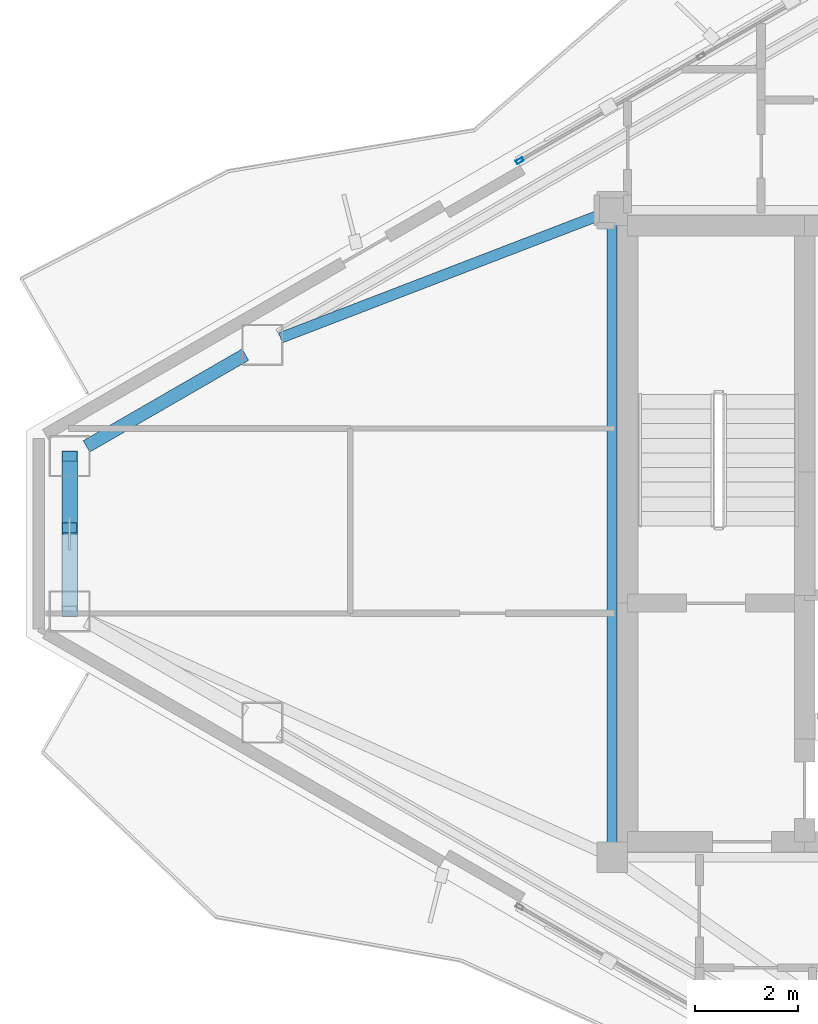
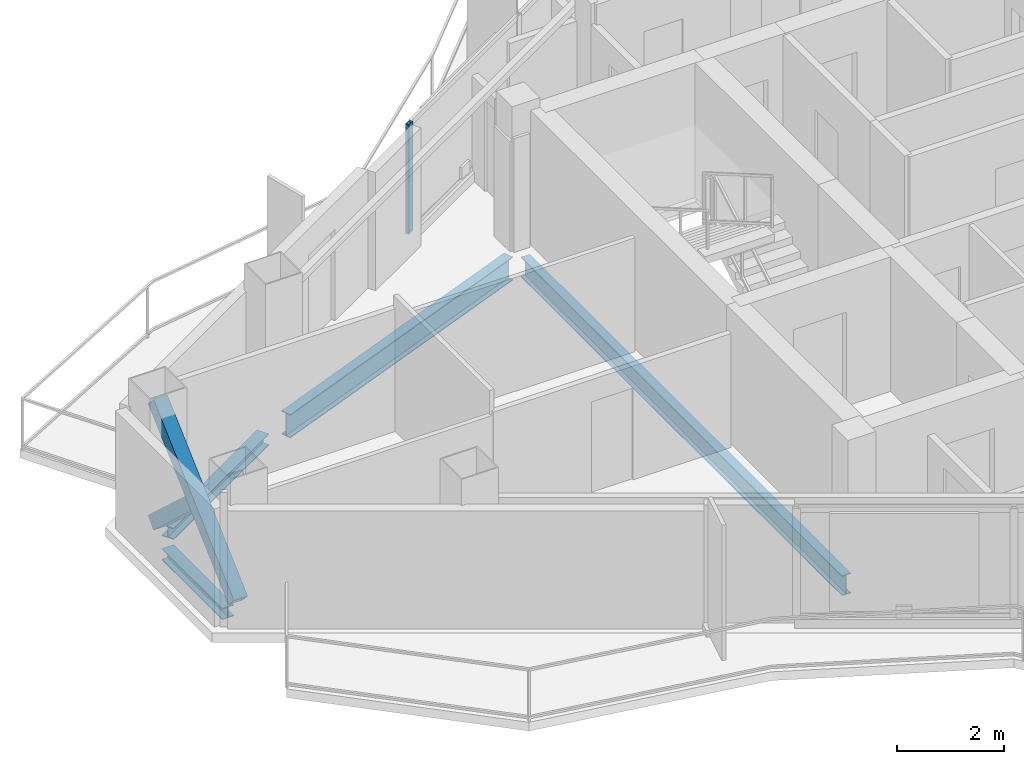
# One storey, part 8 of 18: 4 beams, 3 members, 1 element without a shape of its own.
"""IFC4 building model written with IfcOpenShell, lengths in metres."""

from ifc_helpers import new_model, si_unit, direction, frame, origin, origin_2d, place, context, subcontext, project, spatial, hollow_rectangle, i_section, extrude, material, layer, layer_set, material_profile, profile_set, type_object, element, aggregate, save


model = new_model("IFC4")

# Units and contexts
model_context = context("Model", 3, precision=1e-05, world=origin(), true_north=direction((0.0, 1.0)))
body_context = subcontext(model_context, "Body", "Model", "MODEL_VIEW")
ifc_project = project(units=[si_unit("LENGTHUNIT", "METRE"), si_unit("AREAUNIT", "SQUARE_METRE"), si_unit("VOLUMEUNIT", "CUBIC_METRE"), si_unit("PLANEANGLEUNIT", "RADIAN"), si_unit("MASSUNIT", "GRAM", prefix="KILO")], contexts=[model_context])

# Site, building, storey
site_placement = place(None, origin())
site = spatial("IfcSite", under=ifc_project, at=site_placement, CompositionType="ELEMENT")
building_placement = place(site_placement, origin())
building = spatial("IfcBuilding", under=site, at=building_placement, Name="Mersakhor Tower and Convention Hall", CompositionType="ELEMENT")
storey_placement = place(building_placement, frame((0.0, 0.0, 233.10009765625)))
storey = spatial("IfcBuildingStorey", under=building, at=storey_placement, Name="L65", CompositionType="ELEMENT", Elevation=233.10009765625)

# Beams
ifc_material_1 = material(Name="Steel S355", Category="steel")
ifc_material_profile_1 = material_profile(ifc_material_1, i_section(OverallWidth=0.19140625, OverallDepth=0.4599609375, WebThickness=0.010009765625, FlangeThickness=0.01611328125, at=origin_2d()), Name="UB 457x191x82")
ifc_profile_set_1 = profile_set([ifc_material_profile_1], Name="Steel S355")
beam_type_1 = type_object("IfcBeamType", Name="BM-FB-457", PredefinedType="BEAM", material=ifc_profile_set_1)
beam_1_placement = place(storey_placement, frame((21.89990234375, 20.72998046875, -0.4501953125), z_axis=(0.0, 1.0, 0.0), x_axis=(-1.0, 0.0, 0.0)))
element("IfcBeam", 1, at=beam_1_placement, inside=storey, type_object=beam_type_1, Name="L65 Core Ring Tie Beam CRB-1", PredefinedType="BEAM", context=body_context, shape_type="SweptSolid", body=[
    extrude(i_section(OverallWidth=0.19140625, OverallDepth=0.4599609375, WebThickness=0.010009765625, FlangeThickness=0.01611328125, at=origin_2d()), origin(), (0.0, 0.0, 1.0), 12.0400390625),
])
ifc_material_2 = material(Name="Steel S355", Category="steel")
ifc_material_profile_2 = material_profile(ifc_material_2, i_section(OverallWidth=0.2099609375, OverallDepth=0.53662109375, WebThickness=0.0107421875, FlangeThickness=0.017333984375, at=origin_2d()), Name="UB 533x210x101")
ifc_profile_set_2 = profile_set([ifc_material_profile_2], Name="Steel S355")
beam_type_2 = type_object("IfcBeamType", Name="BM-FB-533", PredefinedType="BEAM", material=ifc_profile_set_2)
beam_2_placement = place(storey_placement, frame((21.638671875, 32.949462890625, -0.488525390625), z_axis=(-0.933316231297, -0.359055444741, 0.0), x_axis=(0.359055444741, -0.933316231297, 0.0)))
element("IfcBeam", 2, at=beam_2_placement, inside=storey, type_object=beam_type_2, Name="L65 Primary Floor Girder FG-1", PredefinedType="BEAM", context=body_context, shape_type="SweptSolid", body=[
    extrude(i_section(OverallWidth=0.2099609375, OverallDepth=0.53662109375, WebThickness=0.0107421875, FlangeThickness=0.017333984375, at=origin_2d()), origin(), (0.0, 0.0, 1.0), 6.64111328125),
])
ifc_material_3 = material(Name="Steel S355", Category="steel")
ifc_material_profile_3 = material_profile(ifc_material_3, i_section(OverallWidth=0.25634765625, OverallDepth=0.26025390625, WebThickness=0.01025390625, FlangeThickness=0.017333984375, at=origin_2d()), Name="UC 254x254x89")
ifc_profile_set_3 = profile_set([ifc_material_profile_3], Name="Steel S355")
beam_type_3 = type_object("IfcBeamType", Name="BM-SPD-UC254", PredefinedType="SPANDREL", material=ifc_profile_set_3)
beam_3_placement = place(storey_placement, frame((11.6611328125, 28.451416015625, -0.35009765625), z_axis=(0.866032030752, 0.499988521579, 0.0), x_axis=(-0.499988521579, 0.866032030752, 0.0)))
element("IfcBeam", 3, at=beam_3_placement, inside=storey, type_object=beam_type_3, Name="L65 Perimeter Spandrel Beam SPB-01", PredefinedType="SPANDREL", context=body_context, shape_type="SweptSolid", body=[
    extrude(i_section(OverallWidth=0.25634765625, OverallDepth=0.26025390625, WebThickness=0.01025390625, FlangeThickness=0.017333984375, at=origin_2d()), origin(), (0.0, 0.0, 1.0), 3.57421875),
])
beam_4_placement = place(storey_placement, frame((11.33203125, 25.61865234375, -0.35009765625), z_axis=(0.0, 1.0, 0.0), x_axis=(-1.0, 0.0, 0.0)))
element("IfcBeam", 4, at=beam_4_placement, inside=storey, type_object=beam_type_3, Name="L65 Perimeter Spandrel Beam SPB-12", PredefinedType="SPANDREL", context=body_context, shape_type="SweptSolid", body=[
    extrude(i_section(OverallWidth=0.25634765625, OverallDepth=0.26025390625, WebThickness=0.01025390625, FlangeThickness=0.017333984375, at=origin_2d()), origin(), (0.0, 0.0, 1.0), 2.2626953125),
])

# Curtain wall, member
ifc_material_4 = material(Name="Dark solar low-E aluminium curtain wall", Category="aluminium")
ifc_layer = layer(ifc_material_4, 0.179931640625)
ifc_layer_set = layer_set([ifc_layer], Name="Dark solar low-E aluminium curtain wall")
curtain_wall_type = type_object("IfcCurtainWallType", Name="CW-SYS-03", PredefinedType="USERDEFINED", material=ifc_layer_set)
curtain_wall_placement = place(storey_placement, origin())
curtain_wall = element("IfcCurtainWall", 5, at=curtain_wall_placement, inside=storey, type_object=curtain_wall_type, Name="L65 Dark-Glass Curtain Wall F1-B2", ObjectType="CURTAIN WALL", PredefinedType="USERDEFINED")
ifc_material_5 = material(Name="Anodised aluminium EN AW-6063 T6", Category="aluminium")
ifc_material_profile_4 = material_profile(ifc_material_5, hollow_rectangle(XDim=0.074951171875, YDim=0.14990234375, WallThickness=0.00634765625, at=origin_2d()), Name="RHS 150x75x6.3")
ifc_profile_set_4 = profile_set([ifc_material_profile_4], Name="Anodised aluminium EN AW-6063 T6")
member_type_1 = type_object("IfcMemberType", Name="CWM-150x75", PredefinedType="MULLION", material=ifc_profile_set_4)
member_1_placement = place(storey_placement, frame((20.098388671875, 34.015380859375, 0.199951171875), z_axis=(0.0, 0.0, 1.0), x_axis=(-0.500004411169, 0.86602285698, 0.0)))
member_1 = element("IfcMember", 6, at=member_1_placement, type_object=member_type_1, Name="CW-03 mullion 1", PredefinedType="MULLION", context=body_context, shape_type="SweptSolid", body=[
    extrude(hollow_rectangle(XDim=0.074951171875, YDim=0.14990234375, WallThickness=0.00634765625, at=origin_2d()), origin(), (0.0, 0.0, 1.0), 2.5),
])
aggregate(curtain_wall, [member_1])

# Members
ifc_material_6 = material(Name="Steel S355", Category="steel")
ifc_material_profile_5 = material_profile(ifc_material_6, hollow_rectangle(XDim=0.300048828125, YDim=0.300048828125, WallThickness=0.01611328125, at=origin_2d()), Name="SHS 300x300x16")
ifc_profile_set_5 = profile_set([ifc_material_profile_5], Name="Steel S355")
member_type_2 = type_object("IfcMemberType", Name="MB-BRC-SHS300", PredefinedType="BRACE", material=ifc_profile_set_5)
member_2_placement = place(storey_placement, frame((11.33203125, 25.23876953125, 0.14990234375), z_axis=(0.0, 0.736008025896, 0.676972810249), x_axis=(-1.0, 0.0, 0.0)))
element("IfcMember", 7, at=member_2_placement, inside=storey, type_object=member_type_2, Name="L65 Chamfer Braced Frame Diagonal CB-3A", PredefinedType="BRACE", context=body_context, shape_type="SweptSolid", body=[
    extrude(hollow_rectangle(XDim=0.300048828125, YDim=0.300048828125, WallThickness=0.01611328125, at=origin_2d()), origin(), (0.0, 0.0, 1.0), 4.1064453125),
])
member_3_placement = place(storey_placement, frame((11.33203125, 28.26123046875, 0.14990234375), z_axis=(0.0, -0.735997778537, 0.676983951057), x_axis=(1.0, 0.0, 0.0)))
element("IfcMember", 8, at=member_3_placement, inside=storey, type_object=member_type_2, Name="L65 Chamfer Braced Frame Diagonal CB-3B Lower Half", PredefinedType="BRACE", context=body_context, shape_type="SweptSolid", body=[
    extrude(hollow_rectangle(XDim=0.300048828125, YDim=0.300048828125, WallThickness=0.01611328125, at=origin_2d()), origin(), (0.0, 0.0, 1.0), 1.894775390625),
])

save(model, "model.ifc")
